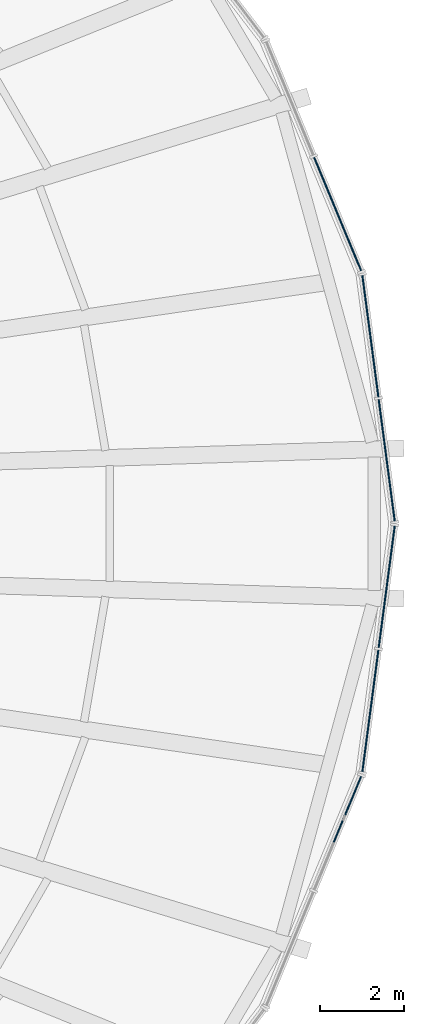
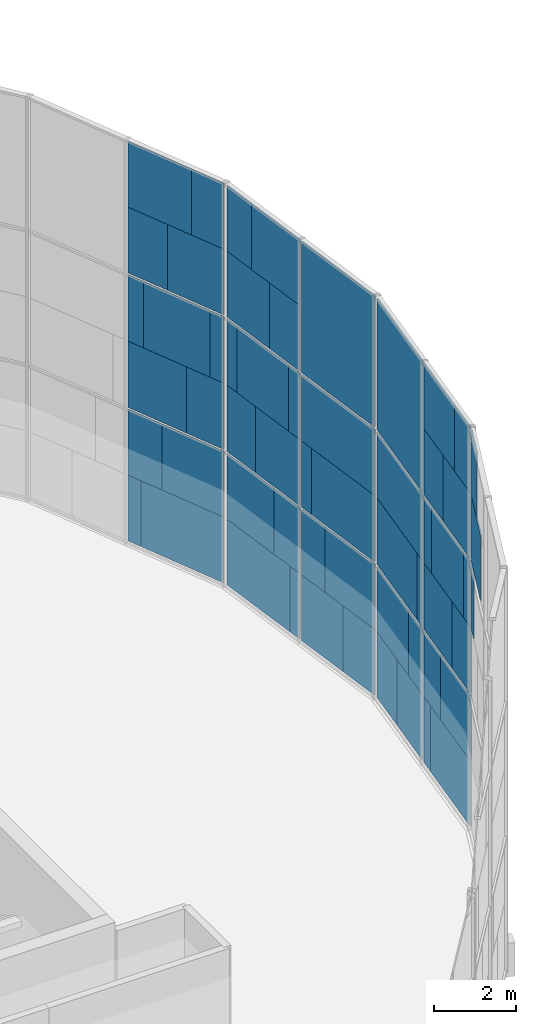
# One storey, part 15 of 23: 58 plates, 4 elements without a shape of their own.
"""IFC4 building model written with IfcOpenShell, lengths in metres."""

from ifc_helpers import new_model, si_unit, direction, frame, origin, origin_2d, place, context, subcontext, project, spatial, rectangle, extrude, material, layer, layer_set, type_object, element, aggregate, save


model = new_model("IFC4")

# Units and contexts
model_context = context("Model", 3, precision=1e-05, world=origin(), true_north=direction((0.0, 1.0)))
body_context = subcontext(model_context, "Body", "Model", "MODEL_VIEW")
ifc_project = project(units=[si_unit("LENGTHUNIT", "METRE"), si_unit("AREAUNIT", "SQUARE_METRE"), si_unit("VOLUMEUNIT", "CUBIC_METRE"), si_unit("PLANEANGLEUNIT", "RADIAN"), si_unit("MASSUNIT", "GRAM", prefix="KILO")], contexts=[model_context])

# Site, building, storey
site_placement = place(None, origin())
site = spatial("IfcSite", under=ifc_project, at=site_placement, CompositionType="ELEMENT")
building_placement = place(site_placement, origin())
building = spatial("IfcBuilding", under=site, at=building_placement, Name="Golbaran Civic Tower", CompositionType="ELEMENT")
storey_placement = place(building_placement, frame((0.0, 0.0, 220.0)))
storey = spatial("IfcBuildingStorey", under=building, at=storey_placement, Name="L53", CompositionType="ELEMENT", Elevation=220.0)

# Curtain wall, plates
ifc_material_1 = material(Name="Aluminium and glass", Category="aluminium")
curtain_wall_type = type_object("IfcCurtainWallType", Name="INNER SKIN CURTAIN WALL EXECUTIVE", PredefinedType="NOTDEFINED", material=ifc_material_1)
curtain_wall_1_placement = place(storey_placement, origin())
curtain_wall_1 = element("IfcCurtainWall", 1, at=curtain_wall_1_placement, inside=storey, type_object=curtain_wall_type, Name="Inner skin L53 facet 1 CW2", ObjectType="INNER SKIN", PredefinedType="USERDEFINED")
ifc_material_2 = material(Name="Clear insulating glass", Category="glass")
ifc_layer_1 = layer(ifc_material_2, 0.031982421875, Name="Clear insulating glass")
ifc_layer_set_1 = layer_set([ifc_layer_1], Name="Clear insulating glass")
plate_type_1 = type_object("IfcPlateType", Name="INNER SKIN CURTAIN WALL EXECUTIVE GLAZED PANEL", PredefinedType="CURTAIN_PANEL", material=ifc_layer_set_1)
plate_1_placement = place(storey_placement, frame((23.043701171875, 0.68603515625, 0.06005859375), z_axis=(0.0, 0.0, 1.0), x_axis=(-0.130526192289, 0.991444861365, 0.0)))
plate_1 = element("IfcPlate", 2, at=plate_1_placement, type_object=plate_type_1, Name="CW2 panel 1.1 part 1", PredefinedType="CURTAIN_PANEL", context=body_context, shape_type="SweptSolid", body=[
    extrude(rectangle(XDim=1.263916015625, YDim=0.031982421875, at=origin_2d()), origin(), (0.0, 0.0, 1.0), 1.955078125),
])
plate_2_placement = place(storey_placement, frame((22.99658203125, 1.04443359375, 2.014892578125), z_axis=(0.0, 0.0, 1.0), x_axis=(-0.130526192289, 0.991444861365, 0.0)))
plate_2 = element("IfcPlate", 3, at=plate_2_placement, type_object=plate_type_1, Name="CW2 panel 1.1 part 3", PredefinedType="CURTAIN_PANEL", context=body_context, shape_type="SweptSolid", body=[
    extrude(rectangle(XDim=1.987060546875, YDim=0.031982421875, at=origin_2d()), origin(), (0.0, 0.0, 1.0), 1.955078125),
])
plate_3_placement = place(storey_placement, frame((22.961181640625, 1.312744140625, 4.02978515625), z_axis=(0.0, 0.0, 1.0), x_axis=(-0.130526192289, 0.991444861365, 0.0)))
plate_3 = element("IfcPlate", 4, at=plate_3_placement, type_object=plate_type_1, Name="CW2 panel 1.2 part 1", PredefinedType="CURTAIN_PANEL", context=body_context, shape_type="SweptSolid", body=[
    extrude(rectangle(XDim=2.528076171875, YDim=0.031982421875, at=origin_2d()), origin(), (0.0, 0.0, 1.0), 1.969970703125),
])
plate_4_placement = place(storey_placement, frame((22.93505859375, 1.51171875, 6.0), z_axis=(0.0, 0.0, 1.0), x_axis=(-0.130526192289, 0.991444861365, 0.0)))
plate_4 = element("IfcPlate", 5, at=plate_4_placement, type_object=plate_type_1, Name="CW2 panel 1.2 part 3", PredefinedType="CURTAIN_PANEL", context=body_context, shape_type="SweptSolid", body=[
    extrude(rectangle(XDim=2.9296875, YDim=0.031982421875, at=origin_2d()), origin(), (0.0, 0.0, 1.0), 1.969970703125),
])
plate_5_placement = place(storey_placement, frame((22.93505859375, 1.51171875, 8.0302734375), z_axis=(0.0, 0.0, 1.0), x_axis=(-0.130526192289, 0.991444861365, 0.0)))
plate_5 = element("IfcPlate", 6, at=plate_5_placement, type_object=plate_type_1, Name="CW2 panel 1.3", PredefinedType="CURTAIN_PANEL", context=body_context, shape_type="SweptSolid", body=[
    extrude(rectangle(XDim=2.9296875, YDim=0.031982421875, at=origin_2d()), origin(), (0.0, 0.0, 1.0), 3.909912109375),
])
plate_6_placement = place(storey_placement, frame((22.5185546875, 4.674072265625, 0.06005859375), z_axis=(0.0, 0.0, 1.0), x_axis=(-0.130526192289, 0.991444861365, 0.0)))
plate_6 = element("IfcPlate", 7, at=plate_6_placement, type_object=plate_type_1, Name="CW2 panel 2.1 part 2", PredefinedType="CURTAIN_PANEL", context=body_context, shape_type="SweptSolid", body=[
    extrude(rectangle(XDim=2.529541015625, YDim=0.031982421875, at=origin_2d()), origin(), (0.0, 0.0, 1.0), 1.955078125),
])
plate_7_placement = place(storey_placement, frame((22.476806640625, 4.9912109375, 2.014892578125), z_axis=(0.0, 0.0, 1.0), x_axis=(-0.130526192289, 0.991444861365, 0.0)))
plate_7 = element("IfcPlate", 8, at=plate_7_placement, type_object=plate_type_1, Name="CW2 panel 2.1 part 4", PredefinedType="CURTAIN_PANEL", context=body_context, shape_type="SweptSolid", body=[
    extrude(rectangle(XDim=1.8896484375, YDim=0.031982421875, at=origin_2d()), origin(), (0.0, 0.0, 1.0), 1.955078125),
])
plate_8_placement = place(storey_placement, frame((22.427978515625, 5.363037109375, 4.02978515625), z_axis=(0.0, 0.0, 1.0), x_axis=(-0.130526192289, 0.991444861365, 0.0)))
plate_8 = element("IfcPlate", 9, at=plate_8_placement, type_object=plate_type_1, Name="CW2 panel 2.2 part 2", PredefinedType="CURTAIN_PANEL", context=body_context, shape_type="SweptSolid", body=[
    extrude(rectangle(XDim=1.1396484375, YDim=0.031982421875, at=origin_2d()), origin(), (0.0, 0.0, 1.0), 1.969970703125),
])
plate_9_placement = place(storey_placement, frame((22.705322265625, 3.256103515625, 6.0), z_axis=(0.0, 0.0, 1.0), x_axis=(-0.130526192289, 0.991444861365, 0.0)))
plate_9 = element("IfcPlate", 10, at=plate_9_placement, type_object=plate_type_1, Name="CW2 panel 2.2 part 3", PredefinedType="CURTAIN_PANEL", context=body_context, shape_type="SweptSolid", body=[
    extrude(rectangle(XDim=0.468994140625, YDim=0.031982421875, at=origin_2d()), origin(), (0.0, 0.0, 1.0), 1.969970703125),
])
plate_10_placement = place(storey_placement, frame((22.38037109375, 5.723876953125, 6.0), z_axis=(0.0, 0.0, 1.0), x_axis=(-0.130526192289, 0.991444861365, 0.0)))
plate_10 = element("IfcPlate", 11, at=plate_10_placement, type_object=plate_type_1, Name="CW2 panel 2.2 part 5", PredefinedType="CURTAIN_PANEL", context=body_context, shape_type="SweptSolid", body=[
    extrude(rectangle(XDim=0.41162109375, YDim=0.031982421875, at=origin_2d()), origin(), (0.0, 0.0, 1.0), 1.969970703125),
])
plate_11_placement = place(storey_placement, frame((22.656494140625, 3.627685546875, 8.030029296875), z_axis=(0.0, 0.0, 1.0), x_axis=(-0.130526192289, 0.991444861365, 0.0)))
plate_11 = element("IfcPlate", 12, at=plate_11_placement, type_object=plate_type_1, Name="CW2 panel 2.3 part 1", PredefinedType="CURTAIN_PANEL", context=body_context, shape_type="SweptSolid", body=[
    extrude(rectangle(XDim=1.218994140625, YDim=0.031982421875, at=origin_2d()), origin(), (0.0, 0.0, 1.0), 1.955078125),
])
plate_12_placement = place(storey_placement, frame((22.609375, 3.985595703125, 9.98486328125), z_axis=(0.0, 0.0, 1.0), x_axis=(-0.130526192289, 0.991444861365, 0.0)))
plate_12 = element("IfcPlate", 13, at=plate_12_placement, type_object=plate_type_1, Name="CW2 panel 2.3 part 3", PredefinedType="CURTAIN_PANEL", context=body_context, shape_type="SweptSolid", body=[
    extrude(rectangle(XDim=1.94091796875, YDim=0.031982421875, at=origin_2d()), origin(), (0.0, 0.0, 1.0), 1.955078125),
])

curtain_wall_2_placement = place(storey_placement, origin())
curtain_wall_2 = element("IfcCurtainWall", 14, at=curtain_wall_2_placement, inside=storey, type_object=curtain_wall_type, Name="Inner skin L53 facet 2 CW2", ObjectType="INNER SKIN", PredefinedType="USERDEFINED")
plate_13_placement = place(storey_placement, frame((21.839111328125, 7.210693359375, 0.06005859375), z_axis=(0.0, 0.0, 1.0), x_axis=(-0.382683432317, 0.923879532531, 0.0)))
plate_13 = element("IfcPlate", 15, at=plate_13_placement, type_object=plate_type_1, Name="CW2 panel 1.1 part 1", PredefinedType="CURTAIN_PANEL", context=body_context, shape_type="SweptSolid", body=[
    extrude(rectangle(XDim=2.528076171875, YDim=0.031982421875, at=origin_2d()), origin(), (0.0, 0.0, 1.0), 1.955078125),
])
plate_14_placement = place(storey_placement, frame((21.96142578125, 6.91552734375, 2.014892578125), z_axis=(0.0, 0.0, 1.0), x_axis=(-0.382683432317, 0.923879532531, 0.0)))
plate_14 = element("IfcPlate", 16, at=plate_14_placement, type_object=plate_type_1, Name="CW2 panel 1.1 part 3", PredefinedType="CURTAIN_PANEL", context=body_context, shape_type="SweptSolid", body=[
    extrude(rectangle(XDim=1.888916015625, YDim=0.031982421875, at=origin_2d()), origin(), (0.0, 0.0, 1.0), 1.955078125),
])
plate_15_placement = place(storey_placement, frame((22.104736328125, 6.569091796875, 4.02978515625), z_axis=(0.0, 0.0, 1.0), x_axis=(-0.382683432317, 0.923879532531, 0.0)))
plate_15 = element("IfcPlate", 17, at=plate_15_placement, type_object=plate_type_1, Name="CW2 panel 1.2 part 1", PredefinedType="CURTAIN_PANEL", context=body_context, shape_type="SweptSolid", body=[
    extrude(rectangle(XDim=1.138916015625, YDim=0.031982421875, at=origin_2d()), origin(), (0.0, 0.0, 1.0), 1.969970703125),
])
plate_16_placement = place(storey_placement, frame((22.243896484375, 6.233154296875, 6.0), z_axis=(0.0, 0.0, 1.0), x_axis=(-0.382683432317, 0.923879532531, 0.0)))
plate_16 = element("IfcPlate", 18, at=plate_16_placement, type_object=plate_type_1, Name="CW2 panel 1.2 part 3", PredefinedType="CURTAIN_PANEL", context=body_context, shape_type="SweptSolid", body=[
    extrude(rectangle(XDim=0.412109375, YDim=0.031982421875, at=origin_2d()), origin(), (0.0, 0.0, 1.0), 1.969970703125),
])
plate_17_placement = place(storey_placement, frame((21.291259765625, 8.533203125, 6.0), z_axis=(0.0, 0.0, 1.0), x_axis=(-0.382683432317, 0.923879532531, 0.0)))
plate_17 = element("IfcPlate", 19, at=plate_17_placement, type_object=plate_type_1, Name="CW2 panel 1.2 part 5", PredefinedType="CURTAIN_PANEL", context=body_context, shape_type="SweptSolid", body=[
    extrude(rectangle(XDim=0.468505859375, YDim=0.031982421875, at=origin_2d()), origin(), (0.0, 0.0, 1.0), 1.969970703125),
])
plate_18_placement = place(storey_placement, frame((21.434814453125, 8.1865234375, 8.030029296875), z_axis=(0.0, 0.0, 1.0), x_axis=(-0.382683432317, 0.923879532531, 0.0)))
plate_18 = element("IfcPlate", 20, at=plate_18_placement, type_object=plate_type_1, Name="CW2 panel 1.3 part 2", PredefinedType="CURTAIN_PANEL", context=body_context, shape_type="SweptSolid", body=[
    extrude(rectangle(XDim=1.218505859375, YDim=0.031982421875, at=origin_2d()), origin(), (0.0, 0.0, 1.0), 1.955078125),
])
plate_19_placement = place(storey_placement, frame((21.5732421875, 7.8525390625, 9.98486328125), z_axis=(0.0, 0.0, 1.0), x_axis=(-0.382683432317, 0.923879532531, 0.0)))
plate_19 = element("IfcPlate", 21, at=plate_19_placement, type_object=plate_type_1, Name="CW2 panel 1.3 part 4", PredefinedType="CURTAIN_PANEL", context=body_context, shape_type="SweptSolid", body=[
    extrude(rectangle(XDim=1.941650390625, YDim=0.031982421875, at=origin_2d()), origin(), (0.0, 0.0, 1.0), 1.955078125),
])

# Curtain wall, plate
curtain_wall_3_placement = place(storey_placement, origin())
curtain_wall_3 = element("IfcCurtainWall", 22, at=curtain_wall_3_placement, inside=storey, type_object=curtain_wall_type, Name="Inner skin L53 facet 23 CW2", ObjectType="INNER SKIN", PredefinedType="USERDEFINED")
plate_20_placement = place(storey_placement, frame((22.243896484375, -6.233154296875, 6.0), z_axis=(0.0, 0.0, 1.0), x_axis=(0.382683432317, 0.923879532531, 0.0)))
plate_20 = element("IfcPlate", 23, at=plate_20_placement, type_object=plate_type_1, Name="CW2 panel 2.2 part 5", PredefinedType="CURTAIN_PANEL", context=body_context, shape_type="SweptSolid", body=[
    extrude(rectangle(XDim=0.41162109375, YDim=0.031982421875, at=origin_2d()), origin(), (0.0, 0.0, 1.0), 1.969970703125),
])

# Curtain wall, plates
curtain_wall_4_placement = place(storey_placement, origin())
curtain_wall_4 = element("IfcCurtainWall", 24, at=curtain_wall_4_placement, inside=storey, type_object=curtain_wall_type, Name="Inner skin L53 facet 24 CW2", ObjectType="INNER SKIN", PredefinedType="USERDEFINED")
plate_21_placement = place(storey_placement, frame((22.5185546875, -4.6748046875, 0.06005859375), z_axis=(0.0, 0.0, 1.0), x_axis=(0.130526192289, 0.991444861365, 0.0)))
plate_21 = element("IfcPlate", 25, at=plate_21_placement, type_object=plate_type_1, Name="CW2 panel 1.1 part 1", PredefinedType="CURTAIN_PANEL", context=body_context, shape_type="SweptSolid", body=[
    extrude(rectangle(XDim=2.528076171875, YDim=0.031982421875, at=origin_2d()), origin(), (0.0, 0.0, 1.0), 1.955078125),
])
plate_22_placement = place(storey_placement, frame((22.476806640625, -4.99169921875, 2.014892578125), z_axis=(0.0, 0.0, 1.0), x_axis=(0.130526192289, 0.991444861365, 0.0)))
plate_22 = element("IfcPlate", 26, at=plate_22_placement, type_object=plate_type_1, Name="CW2 panel 1.1 part 3", PredefinedType="CURTAIN_PANEL", context=body_context, shape_type="SweptSolid", body=[
    extrude(rectangle(XDim=1.888916015625, YDim=0.031982421875, at=origin_2d()), origin(), (0.0, 0.0, 1.0), 1.955078125),
])
plate_23_placement = place(storey_placement, frame((22.427978515625, -5.363525390625, 4.02978515625), z_axis=(0.0, 0.0, 1.0), x_axis=(0.130526192289, 0.991444861365, 0.0)))
plate_23 = element("IfcPlate", 27, at=plate_23_placement, type_object=plate_type_1, Name="CW2 panel 1.2 part 1", PredefinedType="CURTAIN_PANEL", context=body_context, shape_type="SweptSolid", body=[
    extrude(rectangle(XDim=1.138916015625, YDim=0.031982421875, at=origin_2d()), origin(), (0.0, 0.0, 1.0), 1.969970703125),
])
plate_24_placement = place(storey_placement, frame((22.38037109375, -5.723876953125, 6.0), z_axis=(0.0, 0.0, 1.0), x_axis=(0.130526192289, 0.991444861365, 0.0)))
plate_24 = element("IfcPlate", 28, at=plate_24_placement, type_object=plate_type_1, Name="CW2 panel 1.2 part 3", PredefinedType="CURTAIN_PANEL", context=body_context, shape_type="SweptSolid", body=[
    extrude(rectangle(XDim=0.412109375, YDim=0.031982421875, at=origin_2d()), origin(), (0.0, 0.0, 1.0), 1.969970703125),
])
plate_25_placement = place(storey_placement, frame((22.705322265625, -3.255859375, 6.0), z_axis=(0.0, 0.0, 1.0), x_axis=(0.130526192289, 0.991444861365, 0.0)))
plate_25 = element("IfcPlate", 29, at=plate_25_placement, type_object=plate_type_1, Name="CW2 panel 1.2 part 5", PredefinedType="CURTAIN_PANEL", context=body_context, shape_type="SweptSolid", body=[
    extrude(rectangle(XDim=0.468505859375, YDim=0.031982421875, at=origin_2d()), origin(), (0.0, 0.0, 1.0), 1.969970703125),
])
plate_26_placement = place(storey_placement, frame((22.656494140625, -3.627685546875, 8.030029296875), z_axis=(0.0, 0.0, 1.0), x_axis=(0.130526192289, 0.991444861365, 0.0)))
plate_26 = element("IfcPlate", 30, at=plate_26_placement, type_object=plate_type_1, Name="CW2 panel 1.3 part 2", PredefinedType="CURTAIN_PANEL", context=body_context, shape_type="SweptSolid", body=[
    extrude(rectangle(XDim=1.218505859375, YDim=0.031982421875, at=origin_2d()), origin(), (0.0, 0.0, 1.0), 1.955078125),
])
plate_27_placement = place(storey_placement, frame((22.609130859375, -3.986083984375, 9.98486328125), z_axis=(0.0, 0.0, 1.0), x_axis=(0.130526192289, 0.991444861365, 0.0)))
plate_27 = element("IfcPlate", 31, at=plate_27_placement, type_object=plate_type_1, Name="CW2 panel 1.3 part 4", PredefinedType="CURTAIN_PANEL", context=body_context, shape_type="SweptSolid", body=[
    extrude(rectangle(XDim=1.941650390625, YDim=0.031982421875, at=origin_2d()), origin(), (0.0, 0.0, 1.0), 1.955078125),
])
plate_28_placement = place(storey_placement, frame((23.043701171875, -0.686279296875, 0.06005859375), z_axis=(0.0, 0.0, 1.0), x_axis=(0.130526192289, 0.991444861365, 0.0)))
plate_28 = element("IfcPlate", 32, at=plate_28_placement, type_object=plate_type_1, Name="CW2 panel 2.1 part 2", PredefinedType="CURTAIN_PANEL", context=body_context, shape_type="SweptSolid", body=[
    extrude(rectangle(XDim=1.2646484375, YDim=0.031982421875, at=origin_2d()), origin(), (0.0, 0.0, 1.0), 1.955078125),
])
plate_29_placement = place(storey_placement, frame((22.99658203125, -1.044189453125, 2.014892578125), z_axis=(0.0, 0.0, 1.0), x_axis=(0.130526192289, 0.991444861365, 0.0)))
plate_29 = element("IfcPlate", 33, at=plate_29_placement, type_object=plate_type_1, Name="CW2 panel 2.1 part 4", PredefinedType="CURTAIN_PANEL", context=body_context, shape_type="SweptSolid", body=[
    extrude(rectangle(XDim=1.986572265625, YDim=0.031982421875, at=origin_2d()), origin(), (0.0, 0.0, 1.0), 1.955078125),
])
plate_30_placement = place(storey_placement, frame((22.961181640625, -1.31298828125, 4.02978515625), z_axis=(0.0, 0.0, 1.0), x_axis=(0.130526192289, 0.991444861365, 0.0)))
plate_30 = element("IfcPlate", 34, at=plate_30_placement, type_object=plate_type_1, Name="CW2 panel 2.2 part 2", PredefinedType="CURTAIN_PANEL", context=body_context, shape_type="SweptSolid", body=[
    extrude(rectangle(XDim=2.528564453125, YDim=0.031982421875, at=origin_2d()), origin(), (0.0, 0.0, 1.0), 1.969970703125),
])
plate_31_placement = place(storey_placement, frame((22.93505859375, -1.51171875, 6.0), z_axis=(0.0, 0.0, 1.0), x_axis=(0.130526192289, 0.991444861365, 0.0)))
plate_31 = element("IfcPlate", 35, at=plate_31_placement, type_object=plate_type_1, Name="CW2 panel 2.2 part 3", PredefinedType="CURTAIN_PANEL", context=body_context, shape_type="SweptSolid", body=[
    extrude(rectangle(XDim=2.9296875, YDim=0.031982421875, at=origin_2d()), origin(), (0.0, 0.0, 1.0), 1.969970703125),
])
plate_32_placement = place(storey_placement, frame((22.93505859375, -1.51171875, 8.0302734375), z_axis=(0.0, 0.0, 1.0), x_axis=(0.130526192289, 0.991444861365, 0.0)))
plate_32 = element("IfcPlate", 36, at=plate_32_placement, type_object=plate_type_1, Name="CW2 panel 2.3", PredefinedType="CURTAIN_PANEL", context=body_context, shape_type="SweptSolid", body=[
    extrude(rectangle(XDim=2.9296875, YDim=0.031982421875, at=origin_2d()), origin(), (0.0, 0.0, 1.0), 3.909912109375),
])

# Plate
ifc_material_3 = material(Name="Aluminium faced opaque infill panel", Category="aluminium")
ifc_layer_2 = layer(ifc_material_3, 0.031982421875, Name="Aluminium faced opaque infill panel")
ifc_layer_set_2 = layer_set([ifc_layer_2], Name="Aluminium faced opaque infill panel")
plate_type_2 = type_object("IfcPlateType", Name="INNER SKIN CURTAIN WALL EXECUTIVE OPAQUE INFILL PANEL", PredefinedType="CURTAIN_PANEL", material=ifc_layer_set_2)
plate_33_placement = place(storey_placement, frame((22.8525390625, 2.138427734375, 0.06005859375), z_axis=(0.0, 0.0, 1.0), x_axis=(-0.130526192289, 0.991444861365, 0.0)))
plate_33 = element("IfcPlate", 37, at=plate_33_placement, type_object=plate_type_2, Name="CW2 infill panel 1.1 part 2", PredefinedType="CURTAIN_PANEL", context=body_context, shape_type="SweptSolid", body=[
    extrude(rectangle(XDim=1.66552734375, YDim=0.031982421875, at=origin_2d()), origin(), (0.0, 0.0, 1.0), 1.955078125),
])

plate_34_placement = place(storey_placement, frame((22.80517578125, 2.496826171875, 2.014892578125), z_axis=(0.0, 0.0, 1.0), x_axis=(-0.130526192289, 0.991444861365, 0.0)))
plate_34 = element("IfcPlate", 38, at=plate_34_placement, type_object=plate_type_2, Name="CW2 infill panel 1.1 part 4", PredefinedType="CURTAIN_PANEL", context=body_context, shape_type="SweptSolid", body=[
    extrude(rectangle(XDim=0.942626953125, YDim=0.031982421875, at=origin_2d()), origin(), (0.0, 0.0, 1.0), 1.955078125),
])

plate_35_placement = place(storey_placement, frame((22.77001953125, 2.764892578125, 4.02978515625), z_axis=(0.0, 0.0, 1.0), x_axis=(-0.130526192289, 0.991444861365, 0.0)))
plate_35 = element("IfcPlate", 39, at=plate_35_placement, type_object=plate_type_2, Name="CW2 infill panel 1.2 part 2", PredefinedType="CURTAIN_PANEL", context=body_context, shape_type="SweptSolid", body=[
    extrude(rectangle(XDim=0.401611328125, YDim=0.031982421875, at=origin_2d()), origin(), (0.0, 0.0, 1.0), 1.969970703125),
])

plate_36_placement = place(storey_placement, frame((22.7099609375, 3.2216796875, 0.06005859375), z_axis=(0.0, 0.0, 1.0), x_axis=(-0.130526192289, 0.991444861365, 0.0)))
plate_36 = element("IfcPlate", 40, at=plate_36_placement, type_object=plate_type_2, Name="CW2 infill panel 2.1 part 1", PredefinedType="CURTAIN_PANEL", context=body_context, shape_type="SweptSolid", body=[
    extrude(rectangle(XDim=0.39990234375, YDim=0.031982421875, at=origin_2d()), origin(), (0.0, 0.0, 1.0), 1.955078125),
])

plate_37_placement = place(storey_placement, frame((22.66796875, 3.5390625, 2.014892578125), z_axis=(0.0, 0.0, 1.0), x_axis=(-0.130526192289, 0.991444861365, 0.0)))
plate_37 = element("IfcPlate", 41, at=plate_37_placement, type_object=plate_type_2, Name="CW2 infill panel 2.1 part 3", PredefinedType="CURTAIN_PANEL", context=body_context, shape_type="SweptSolid", body=[
    extrude(rectangle(XDim=1.0400390625, YDim=0.031982421875, at=origin_2d()), origin(), (0.0, 0.0, 1.0), 1.955078125),
])

plate_38_placement = place(storey_placement, frame((22.619140625, 3.910888671875, 4.02978515625), z_axis=(0.0, 0.0, 1.0), x_axis=(-0.130526192289, 0.991444861365, 0.0)))
plate_38 = element("IfcPlate", 42, at=plate_38_placement, type_object=plate_type_2, Name="CW2 infill panel 2.2 part 1", PredefinedType="CURTAIN_PANEL", context=body_context, shape_type="SweptSolid", body=[
    extrude(rectangle(XDim=1.7900390625, YDim=0.031982421875, at=origin_2d()), origin(), (0.0, 0.0, 1.0), 1.969970703125),
])

plate_39_placement = place(storey_placement, frame((22.541015625, 4.504150390625, 6.0), z_axis=(0.0, 0.0, 1.0), x_axis=(-0.130526192289, 0.991444861365, 0.0)))
plate_39 = element("IfcPlate", 43, at=plate_39_placement, type_object=plate_type_2, Name="CW2 infill panel 2.2 part 4", PredefinedType="CURTAIN_PANEL", context=body_context, shape_type="SweptSolid", body=[
    extrude(rectangle(XDim=2.049072265625, YDim=0.031982421875, at=origin_2d()), origin(), (0.0, 0.0, 1.0), 1.969970703125),
])

plate_40_placement = place(storey_placement, frame((22.465087890625, 5.080078125, 8.030029296875), z_axis=(0.0, 0.0, 1.0), x_axis=(-0.130526192289, 0.991444861365, 0.0)))
plate_40 = element("IfcPlate", 44, at=plate_40_placement, type_object=plate_type_2, Name="CW2 infill panel 2.3 part 2", PredefinedType="CURTAIN_PANEL", context=body_context, shape_type="SweptSolid", body=[
    extrude(rectangle(XDim=1.710693359375, YDim=0.031982421875, at=origin_2d()), origin(), (0.0, 0.0, 1.0), 1.955078125),
])

plate_41_placement = place(storey_placement, frame((22.41796875, 5.43798828125, 9.98486328125), z_axis=(0.0, 0.0, 1.0), x_axis=(-0.130526192289, 0.991444861365, 0.0)))
plate_41 = element("IfcPlate", 45, at=plate_41_placement, type_object=plate_type_2, Name="CW2 infill panel 2.3 part 4", PredefinedType="CURTAIN_PANEL", context=body_context, shape_type="SweptSolid", body=[
    extrude(rectangle(XDim=0.988525390625, YDim=0.031982421875, at=origin_2d()), origin(), (0.0, 0.0, 1.0), 1.955078125),
])

aggregate(curtain_wall_1, [plate_1, plate_33, plate_2, plate_34, plate_3, plate_35, plate_4, plate_5, plate_36, plate_6, plate_37, plate_7, plate_38, plate_8, plate_9, plate_39, plate_10, plate_11, plate_40, plate_12, plate_41])

plate_42_placement = place(storey_placement, frame((21.278564453125, 8.56396484375, 0.06005859375), z_axis=(0.0, 0.0, 1.0), x_axis=(-0.382683432317, 0.923879532531, 0.0)))
plate_42 = element("IfcPlate", 46, at=plate_42_placement, type_object=plate_type_2, Name="CW2 infill panel 1.1 part 2", PredefinedType="CURTAIN_PANEL", context=body_context, shape_type="SweptSolid", body=[
    extrude(rectangle(XDim=0.401611328125, YDim=0.031982421875, at=origin_2d()), origin(), (0.0, 0.0, 1.0), 1.955078125),
])

plate_43_placement = place(storey_placement, frame((21.40087890625, 8.268798828125, 2.014892578125), z_axis=(0.0, 0.0, 1.0), x_axis=(-0.382683432317, 0.923879532531, 0.0)))
plate_43 = element("IfcPlate", 47, at=plate_43_placement, type_object=plate_type_2, Name="CW2 infill panel 1.1 part 4", PredefinedType="CURTAIN_PANEL", context=body_context, shape_type="SweptSolid", body=[
    extrude(rectangle(XDim=1.04052734375, YDim=0.031982421875, at=origin_2d()), origin(), (0.0, 0.0, 1.0), 1.955078125),
])

plate_44_placement = place(storey_placement, frame((21.544189453125, 7.92236328125, 4.02978515625), z_axis=(0.0, 0.0, 1.0), x_axis=(-0.382683432317, 0.923879532531, 0.0)))
plate_44 = element("IfcPlate", 48, at=plate_44_placement, type_object=plate_type_2, Name="CW2 infill panel 1.2 part 2", PredefinedType="CURTAIN_PANEL", context=body_context, shape_type="SweptSolid", body=[
    extrude(rectangle(XDim=1.79052734375, YDim=0.031982421875, at=origin_2d()), origin(), (0.0, 0.0, 1.0), 1.969970703125),
])

plate_45_placement = place(storey_placement, frame((21.77294921875, 7.3701171875, 6.0), z_axis=(0.0, 0.0, 1.0), x_axis=(-0.382683432317, 0.923879532531, 0.0)))
plate_45 = element("IfcPlate", 49, at=plate_45_placement, type_object=plate_type_2, Name="CW2 infill panel 1.2 part 4", PredefinedType="CURTAIN_PANEL", context=body_context, shape_type="SweptSolid", body=[
    extrude(rectangle(XDim=2.049072265625, YDim=0.031982421875, at=origin_2d()), origin(), (0.0, 0.0, 1.0), 1.969970703125),
])

plate_46_placement = place(storey_placement, frame((21.995361328125, 6.833251953125, 8.030029296875), z_axis=(0.0, 0.0, 1.0), x_axis=(-0.382683432317, 0.923879532531, 0.0)))
plate_46 = element("IfcPlate", 50, at=plate_46_placement, type_object=plate_type_2, Name="CW2 infill panel 1.3 part 1", PredefinedType="CURTAIN_PANEL", context=body_context, shape_type="SweptSolid", body=[
    extrude(rectangle(XDim=1.7109375, YDim=0.031982421875, at=origin_2d()), origin(), (0.0, 0.0, 1.0), 1.955078125),
])

plate_47_placement = place(storey_placement, frame((22.1337890625, 6.499267578125, 9.98486328125), z_axis=(0.0, 0.0, 1.0), x_axis=(-0.382683432317, 0.923879532531, 0.0)))
plate_47 = element("IfcPlate", 51, at=plate_47_placement, type_object=plate_type_2, Name="CW2 infill panel 1.3 part 3", PredefinedType="CURTAIN_PANEL", context=body_context, shape_type="SweptSolid", body=[
    extrude(rectangle(XDim=0.988037109375, YDim=0.031982421875, at=origin_2d()), origin(), (0.0, 0.0, 1.0), 1.955078125),
])

aggregate(curtain_wall_2, [plate_13, plate_42, plate_14, plate_43, plate_15, plate_44, plate_16, plate_45, plate_17, plate_46, plate_18, plate_47, plate_19])

plate_48_placement = place(storey_placement, frame((21.995361328125, -6.833251953125, 8.030029296875), z_axis=(0.0, 0.0, 1.0), x_axis=(0.382683432317, 0.923879532531, 0.0)))
plate_48 = element("IfcPlate", 52, at=plate_48_placement, type_object=plate_type_2, Name="CW2 infill panel 2.3 part 2", PredefinedType="CURTAIN_PANEL", context=body_context, shape_type="SweptSolid", body=[
    extrude(rectangle(XDim=1.710693359375, YDim=0.031982421875, at=origin_2d()), origin(), (0.0, 0.0, 1.0), 1.955078125),
])

plate_49_placement = place(storey_placement, frame((22.133544921875, -6.49951171875, 9.98486328125), z_axis=(0.0, 0.0, 1.0), x_axis=(0.382683432317, 0.923879532531, 0.0)))
plate_49 = element("IfcPlate", 53, at=plate_49_placement, type_object=plate_type_2, Name="CW2 infill panel 2.3 part 4", PredefinedType="CURTAIN_PANEL", context=body_context, shape_type="SweptSolid", body=[
    extrude(rectangle(XDim=0.988525390625, YDim=0.031982421875, at=origin_2d()), origin(), (0.0, 0.0, 1.0), 1.955078125),
])

aggregate(curtain_wall_3, [plate_20, plate_48, plate_49])

plate_50_placement = place(storey_placement, frame((22.709716796875, -3.22265625, 0.06005859375), z_axis=(0.0, 0.0, 1.0), x_axis=(0.130526192289, 0.991444861365, 0.0)))
plate_50 = element("IfcPlate", 54, at=plate_50_placement, type_object=plate_type_2, Name="CW2 infill panel 1.1 part 2", PredefinedType="CURTAIN_PANEL", context=body_context, shape_type="SweptSolid", body=[
    extrude(rectangle(XDim=0.401611328125, YDim=0.031982421875, at=origin_2d()), origin(), (0.0, 0.0, 1.0), 1.955078125),
])

plate_51_placement = place(storey_placement, frame((22.66796875, -3.539306640625, 2.014892578125), z_axis=(0.0, 0.0, 1.0), x_axis=(0.130526192289, 0.991444861365, 0.0)))
plate_51 = element("IfcPlate", 55, at=plate_51_placement, type_object=plate_type_2, Name="CW2 infill panel 1.1 part 4", PredefinedType="CURTAIN_PANEL", context=body_context, shape_type="SweptSolid", body=[
    extrude(rectangle(XDim=1.04052734375, YDim=0.031982421875, at=origin_2d()), origin(), (0.0, 0.0, 1.0), 1.955078125),
])

plate_52_placement = place(storey_placement, frame((22.619140625, -3.9111328125, 4.02978515625), z_axis=(0.0, 0.0, 1.0), x_axis=(0.130526192289, 0.991444861365, 0.0)))
plate_52 = element("IfcPlate", 56, at=plate_52_placement, type_object=plate_type_2, Name="CW2 infill panel 1.2 part 2", PredefinedType="CURTAIN_PANEL", context=body_context, shape_type="SweptSolid", body=[
    extrude(rectangle(XDim=1.79052734375, YDim=0.031982421875, at=origin_2d()), origin(), (0.0, 0.0, 1.0), 1.969970703125),
])

plate_53_placement = place(storey_placement, frame((22.541015625, -4.50390625, 6.0), z_axis=(0.0, 0.0, 1.0), x_axis=(0.130526192289, 0.991444861365, 0.0)))
plate_53 = element("IfcPlate", 57, at=plate_53_placement, type_object=plate_type_2, Name="CW2 infill panel 1.2 part 4", PredefinedType="CURTAIN_PANEL", context=body_context, shape_type="SweptSolid", body=[
    extrude(rectangle(XDim=2.049072265625, YDim=0.031982421875, at=origin_2d()), origin(), (0.0, 0.0, 1.0), 1.969970703125),
])

plate_54_placement = place(storey_placement, frame((22.46533203125, -5.079833984375, 8.030029296875), z_axis=(0.0, 0.0, 1.0), x_axis=(0.130526192289, 0.991444861365, 0.0)))
plate_54 = element("IfcPlate", 58, at=plate_54_placement, type_object=plate_type_2, Name="CW2 infill panel 1.3 part 1", PredefinedType="CURTAIN_PANEL", context=body_context, shape_type="SweptSolid", body=[
    extrude(rectangle(XDim=1.7109375, YDim=0.031982421875, at=origin_2d()), origin(), (0.0, 0.0, 1.0), 1.955078125),
])

plate_55_placement = place(storey_placement, frame((22.41796875, -5.438232421875, 9.98486328125), z_axis=(0.0, 0.0, 1.0), x_axis=(0.130526192289, 0.991444861365, 0.0)))
plate_55 = element("IfcPlate", 59, at=plate_55_placement, type_object=plate_type_2, Name="CW2 infill panel 1.3 part 3", PredefinedType="CURTAIN_PANEL", context=body_context, shape_type="SweptSolid", body=[
    extrude(rectangle(XDim=0.988037109375, YDim=0.031982421875, at=origin_2d()), origin(), (0.0, 0.0, 1.0), 1.955078125),
])

plate_56_placement = place(storey_placement, frame((22.8525390625, -2.138671875, 0.06005859375), z_axis=(0.0, 0.0, 1.0), x_axis=(0.130526192289, 0.991444861365, 0.0)))
plate_56 = element("IfcPlate", 60, at=plate_56_placement, type_object=plate_type_2, Name="CW2 infill panel 2.1 part 1", PredefinedType="CURTAIN_PANEL", context=body_context, shape_type="SweptSolid", body=[
    extrude(rectangle(XDim=1.6650390625, YDim=0.031982421875, at=origin_2d()), origin(), (0.0, 0.0, 1.0), 1.955078125),
])

plate_57_placement = place(storey_placement, frame((22.805419921875, -2.49658203125, 2.014892578125), z_axis=(0.0, 0.0, 1.0), x_axis=(0.130526192289, 0.991444861365, 0.0)))
plate_57 = element("IfcPlate", 61, at=plate_57_placement, type_object=plate_type_2, Name="CW2 infill panel 2.1 part 3", PredefinedType="CURTAIN_PANEL", context=body_context, shape_type="SweptSolid", body=[
    extrude(rectangle(XDim=0.943115234375, YDim=0.031982421875, at=origin_2d()), origin(), (0.0, 0.0, 1.0), 1.955078125),
])

plate_58_placement = place(storey_placement, frame((22.77001953125, -2.76513671875, 4.02978515625), z_axis=(0.0, 0.0, 1.0), x_axis=(0.130526192289, 0.991444861365, 0.0)))
plate_58 = element("IfcPlate", 62, at=plate_58_placement, type_object=plate_type_2, Name="CW2 infill panel 2.2 part 1", PredefinedType="CURTAIN_PANEL", context=body_context, shape_type="SweptSolid", body=[
    extrude(rectangle(XDim=0.40087890625, YDim=0.031982421875, at=origin_2d()), origin(), (0.0, 0.0, 1.0), 1.969970703125),
])

aggregate(curtain_wall_4, [plate_21, plate_50, plate_22, plate_51, plate_23, plate_52, plate_24, plate_53, plate_25, plate_54, plate_26, plate_55, plate_27, plate_56, plate_28, plate_57, plate_29, plate_58, plate_30, plate_31, plate_32])

save(model, "model.ifc")
